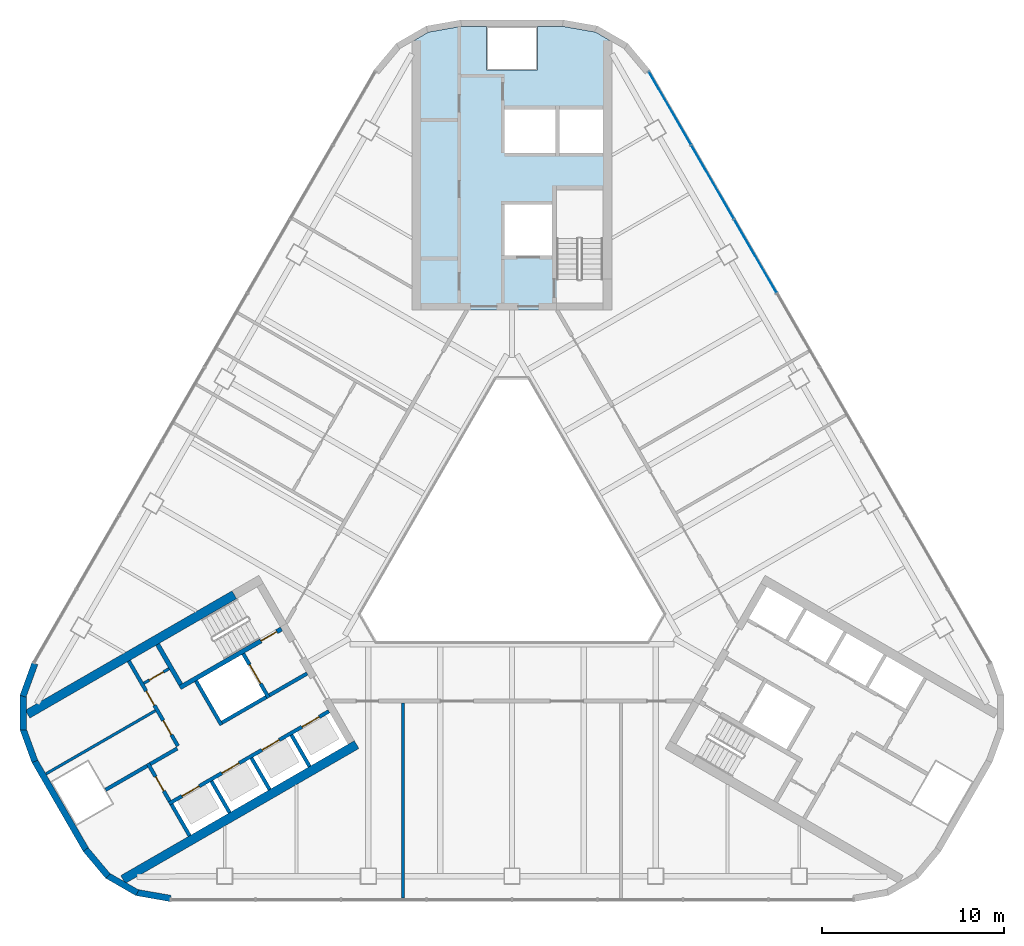
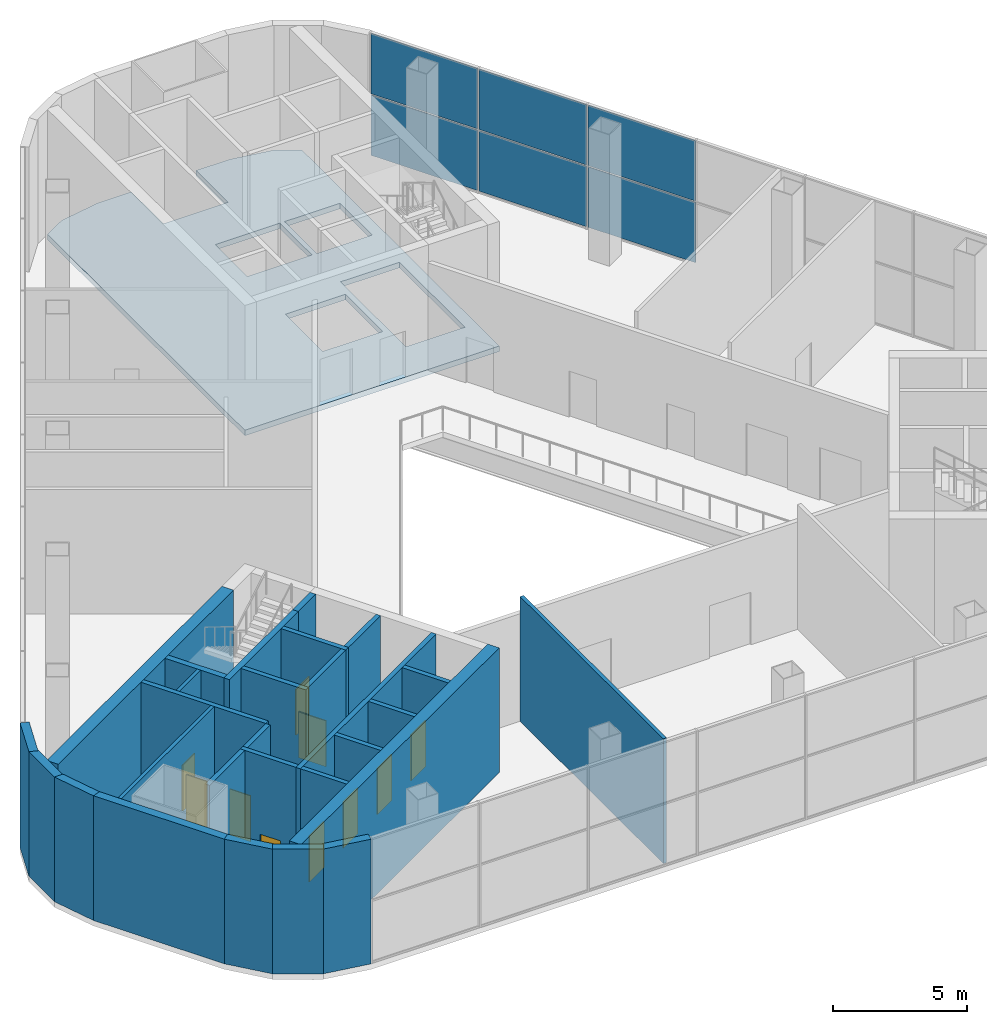
# One storey, part 7 of 14: 28 walls, 10 doors, 6 plates, 1 slab, 10 openings, 1 element without a shape of its own.
"""IFC4 building model written with IfcOpenShell, lengths in metres."""

from ifc_helpers import new_model, si_unit, direction, frame, frame_2d, origin, origin_2d, place, context, subcontext, project, spatial, polyline, rectangle, outline, extrude, material, layer, layer_set, type_object, element, fill, aggregate, save


model = new_model("IFC4")

# Units and contexts
model_context = context("Model", 3, precision=1e-05, world=origin(), true_north=direction((0.0, 1.0)))
body_context = subcontext(model_context, "Body", "Model", "MODEL_VIEW")
ifc_project = project(units=[si_unit("LENGTHUNIT", "METRE"), si_unit("AREAUNIT", "SQUARE_METRE"), si_unit("VOLUMEUNIT", "CUBIC_METRE"), si_unit("PLANEANGLEUNIT", "RADIAN"), si_unit("MASSUNIT", "GRAM", prefix="KILO")], contexts=[model_context])

# Site, building, storey
site_placement = place(None, origin())
site = spatial("IfcSite", under=ifc_project, at=site_placement, CompositionType="ELEMENT")
building_placement = place(site_placement, origin())
building = spatial("IfcBuilding", under=site, at=building_placement, Name="Apuvela Tower Hotel", CompositionType="ELEMENT")
storey_placement = place(building_placement, frame((0.0, 0.0, 131.60009765625)))
storey = spatial("IfcBuildingStorey", under=building, at=storey_placement, Name="L31", CompositionType="ELEMENT", Elevation=131.60009765625)

# Slab
ifc_material_1 = material(Name="Concrete C50/60", Category="concrete")
ifc_layer_1 = layer(ifc_material_1, 0.25)
ifc_layer_set_1 = layer_set([ifc_layer_1], Name="COR-FLOOR-250")
slab_type = type_object("IfcSlabType", Name="COR-FLOOR-250", PredefinedType="FLOOR", material=ifc_layer_set_1)
slab_placement = place(storey_placement, frame((0.0, 0.0, -0.25)))
element("IfcSlab", 1, at=slab_placement, inside=storey, type_object=slab_type, Name="Core floor N", PredefinedType="FLOOR", context=body_context, shape_type="SweptSolid", body=[
    extrude(outline(polyline([(5.5, 27.668212890625), (4.588623046875, 28.1943359375), (2.85498046875, 28.5), (1.39990234375, 28.5), (1.39990234375, 26.10009765625), (-1.39990234375, 26.10009765625), (-1.39990234375, 28.5), (-2.85498046875, 28.5), (-4.588623046875, 28.1943359375), (-5.5, 27.668212890625), (-5.5, 12.89990234375), (5.5, 12.89990234375), (5.5, 27.668212890625)]), holes=[polyline([(5.0, 14.60595703125), (2.449951171875, 14.60595703125), (2.449951171875, 19.5), (5.0, 19.5), (5.0, 14.60595703125)]), polyline([(2.199951171875, 15.89990234375), (-0.39990234375, 15.89990234375), (-0.39990234375, 18.699951171875), (2.199951171875, 18.699951171875), (2.199951171875, 15.89990234375)]), polyline([(5.0, 21.550048828125), (2.60009765625, 21.550048828125), (2.60009765625, 23.949951171875), (5.0, 23.949951171875), (5.0, 21.550048828125)]), polyline([(2.39990234375, 21.550048828125), (-0.39990234375, 21.550048828125), (-0.39990234375, 23.949951171875), (2.39990234375, 23.949951171875), (2.39990234375, 21.550048828125)])]), origin(), (0.0, 0.0, 1.0), 0.25),
])

# Curtain wall, plates
ifc_material_2 = material(Name="Aluminium 6063-T6, dark bronze anodised", Category="aluminium")
ifc_layer_2 = layer(ifc_material_2, 0.199951171875)
ifc_layer_set_2 = layer_set([ifc_layer_2], Name="ENV-CW-S")
curtain_wall_type = type_object("IfcCurtainWallType", Name="ENV-CW-S", PredefinedType="NOTDEFINED", material=ifc_layer_set_2)
curtain_wall_placement = place(storey_placement, origin())
curtain_wall = element("IfcCurtainWall", 2, at=curtain_wall_placement, inside=storey, type_object=curtain_wall_type, Name="Curtain wall CW-S NE L31", PredefinedType="NOTDEFINED")
ifc_material_3 = material(Name="Glass, dark tinted laminated insulated glazing unit", Category="glass")
ifc_layer_3 = layer(ifc_material_3, 0.0400390625)
ifc_layer_set_3 = layer_set([ifc_layer_3], Name="ENV-PANEL-IGU-40")
plate_type = type_object("IfcPlateType", Name="ENV-PANEL-IGU-40", PredefinedType="CURTAIN_PANEL", material=ifc_layer_set_3)
plate_1_placement = place(storey_placement, frame((13.385498046875, 15.875732421875, 0.06494140625), z_axis=(0.0, 0.0, 1.0), x_axis=(-0.49999909771, 0.866025924721, 0.0)))
plate_1 = element("IfcPlate", 3, at=plate_1_placement, type_object=plate_type, Name="CW-S panel 6.1", PredefinedType="CURTAIN_PANEL", context=body_context, shape_type="SweptSolid", body=[
    extrude(rectangle(XDim=4.638916015625, YDim=0.0400390625, at=origin_2d()), origin(), (0.0, 0.0, 1.0), 2.75244140625),
])
plate_2_placement = place(storey_placement, frame((13.385498046875, 15.875732421875, 2.88232421875), z_axis=(0.0, 0.0, 1.0), x_axis=(-0.49999909771, 0.866025924721, 0.0)))
plate_2 = element("IfcPlate", 4, at=plate_2_placement, type_object=plate_type, Name="CW-S panel 6.2", PredefinedType="CURTAIN_PANEL", context=body_context, shape_type="SweptSolid", body=[
    extrude(rectangle(XDim=4.638916015625, YDim=0.0400390625, at=origin_2d()), origin(), (0.0, 0.0, 1.0), 2.75244140625),
])
plate_3_placement = place(storey_placement, frame((11.033447265625, 19.949462890625, 0.06494140625), z_axis=(0.0, 0.0, 1.0), x_axis=(-0.49999909771, 0.866025924721, 0.0)))
plate_3 = element("IfcPlate", 5, at=plate_3_placement, type_object=plate_type, Name="CW-S panel 7.1", PredefinedType="CURTAIN_PANEL", context=body_context, shape_type="SweptSolid", body=[
    extrude(rectangle(XDim=4.638916015625, YDim=0.0400390625, at=origin_2d()), origin(), (0.0, 0.0, 1.0), 2.75244140625),
])
plate_4_placement = place(storey_placement, frame((11.033447265625, 19.949462890625, 2.88232421875), z_axis=(0.0, 0.0, 1.0), x_axis=(-0.49999909771, 0.866025924721, 0.0)))
plate_4 = element("IfcPlate", 6, at=plate_4_placement, type_object=plate_type, Name="CW-S panel 7.2", PredefinedType="CURTAIN_PANEL", context=body_context, shape_type="SweptSolid", body=[
    extrude(rectangle(XDim=4.638916015625, YDim=0.0400390625, at=origin_2d()), origin(), (0.0, 0.0, 1.0), 2.75244140625),
])
plate_5_placement = place(storey_placement, frame((8.689697265625, 24.009033203125, 0.06494140625), z_axis=(0.0, 0.0, 1.0), x_axis=(-0.49999909771, 0.866025924721, 0.0)))
plate_5 = element("IfcPlate", 7, at=plate_5_placement, type_object=plate_type, Name="CW-S panel 8.1", PredefinedType="CURTAIN_PANEL", context=body_context, shape_type="SweptSolid", body=[
    extrude(rectangle(XDim=4.6064453125, YDim=0.0400390625, at=origin_2d()), origin(), (0.0, 0.0, 1.0), 2.75244140625),
])
plate_6_placement = place(storey_placement, frame((8.689697265625, 24.009033203125, 2.88232421875), z_axis=(0.0, 0.0, 1.0), x_axis=(-0.49999909771, 0.866025924721, 0.0)))
plate_6 = element("IfcPlate", 8, at=plate_6_placement, type_object=plate_type, Name="CW-S panel 8.2", PredefinedType="CURTAIN_PANEL", context=body_context, shape_type="SweptSolid", body=[
    extrude(rectangle(XDim=4.6064453125, YDim=0.0400390625, at=origin_2d()), origin(), (0.0, 0.0, 1.0), 2.75244140625),
])
aggregate(curtain_wall, [plate_1, plate_2, plate_3, plate_4, plate_5, plate_6])

# Walls
ifc_layer_4 = layer(ifc_material_1, 0.5)
ifc_layer_set_4 = layer_set([ifc_layer_4], Name="COR-WALL-CORE-500")
wall_type_1 = type_object("IfcWallType", Name="COR-WALL-CORE-500", PredefinedType="SHEAR", material=ifc_layer_set_4)
wall_1_placement = place(storey_placement, frame((-8.546630859375, -10.99658203125, 0.0), z_axis=(0.0, 0.0, 1.0), x_axis=(-0.866025009528, -0.500000682871, 0.0)))
element("IfcWall", 9, at=wall_1_placement, inside=storey, type_object=wall_type_1, Name="Core wall SW", PredefinedType="SHEAR", context=body_context, shape_type="SweptSolid", body=[
    extrude(rectangle(XDim=14.8369140625, YDim=0.5, at=frame_2d((7.41845703125, 0.0))), origin(), (0.0, 0.0, 1.0), 5.699951171875),
])
wall_2_placement = place(storey_placement, frame((-15.274169921875, -2.75634765625, 0.0), z_axis=(0.0, 0.0, 1.0), x_axis=(-0.86602396135, -0.500002498361, 0.0)))
element("IfcWall", 10, at=wall_2_placement, inside=storey, type_object=wall_type_1, Name="Core wall SW", PredefinedType="SHEAR", context=body_context, shape_type="SweptSolid", body=[
    extrude(rectangle(XDim=13.130859375, YDim=0.5, at=frame_2d((6.5654296875, 0.0))), origin(), (0.0, 0.0, 1.0), 5.699951171875),
])

# Wall, opening, door
ifc_material_4 = material(Name="Blockwork 150 mm plastered", Category="masonry")
ifc_layer_5 = layer(ifc_material_4, 0.14990234375)
ifc_layer_set_5 = layer_set([ifc_layer_5], Name="COR-WALL-PART-150")
wall_type_2 = type_object("IfcWallType", Name="COR-WALL-PART-150", PredefinedType="PARTITIONING", material=ifc_layer_set_5)
wall_3_placement = place(storey_placement, frame((-18.866455078125, -6.822265625, 0.0), z_axis=(0.0, 0.0, 1.0), x_axis=(-0.866028054938, -0.499995408039, 0.0)))
wall_3 = element("IfcWall", 11, at=wall_3_placement, inside=storey, type_object=wall_type_2, Name="Partition SW", PredefinedType="PARTITIONING", context=body_context, shape_type="SweptSolid", body=[
    extrude(rectangle(XDim=1.60009765625, YDim=0.14990234375, at=frame_2d((0.800048828125, 0.0))), origin(), (0.0, 0.0, 1.0), 5.699951171875),
])
opening_1_placement = place(wall_3_placement, frame((0.35009765625, 0.0, 0.0)))
opening_1 = element("IfcOpeningElement", 12, at=opening_1_placement, cuts=wall_3, Name="Opening W-RD", PredefinedType="OPENING", context=body_context, shape_type="SweptSolid", body=[
    extrude(rectangle(XDim=0.89990234375, YDim=2.10009765625, at=frame_2d((0.449951171875, 1.050048828125))), frame((0.0, 0.0849609375, 0.0), z_axis=(0.0, -1.0, 0.0), x_axis=(1.0, 0.0, 0.0)), (0.0, 0.0, 1.0), 0.169921875),
])
ifc_material_5 = material(Name="Steel access door, powder coated", Category="steel")
door_type_1 = type_object("IfcDoorType", Name="COR-RD-900", OperationType="NOTDEFINED", PredefinedType="DOOR", material=ifc_material_5)
door_1_placement = place(opening_1_placement, frame((0.89990234375, 0.0, 0.0), z_axis=(0.0, 0.0, 1.0), x_axis=(-1.0, 0.0, 0.0)))
door_1 = element("IfcDoor", 13, at=door_1_placement, inside=storey, type_object=door_type_1, Name="Riser door W-RD", OperationType="SINGLE_SWING_RIGHT", OverallHeight=2.10009765625, OverallWidth=0.89990234375, PredefinedType="DOOR", context=body_context, shape_type="SweptSolid", body=[
    extrude(rectangle(XDim=0.89990234375, YDim=2.10009765625, at=frame_2d((0.449951171875, 1.050048828125))), frame((0.0, 0.02490234375, 0.0), z_axis=(0.0, -1.0, 0.0), x_axis=(1.0, 0.0, 0.0)), (0.0, 0.0, 1.0), 0.050048828125),
])
fill(opening_1, door_1)

# Wall
wall_4_placement = place(storey_placement, frame((-19.61279296875, -9.129638671875, 0.0), z_axis=(0.0, 0.0, 1.0), x_axis=(-0.866031734426, -0.499989034847, 0.0)))
element("IfcWall", 14, at=wall_4_placement, inside=storey, type_object=wall_type_2, Name="Partition SW", PredefinedType="PARTITIONING", context=body_context, shape_type="SweptSolid", body=[
    extrude(rectangle(XDim=6.949951171875, YDim=0.14990234375, at=frame_2d((3.47509765625, 0.0))), origin(), (0.0, 0.0, 1.0), 5.699951171875),
])

# Wall, openings, doors
ifc_material_6 = material(Name="Blockwork 200 mm plastered", Category="masonry")
ifc_layer_6 = layer(ifc_material_6, 0.199951171875)
ifc_layer_set_6 = layer_set([ifc_layer_6], Name="COR-WALL-PART-200")
wall_type_3 = type_object("IfcWallType", Name="COR-WALL-PART-200", PredefinedType="PARTITIONING", material=ifc_layer_set_6)
wall_5_placement = place(storey_placement, frame((-21.076171875, -6.39501953125, 0.0), z_axis=(0.0, 0.0, 1.0), x_axis=(0.50001468107, -0.866016927499, 0.0)))
wall_5 = element("IfcWall", 15, at=wall_5_placement, inside=storey, type_object=wall_type_3, Name="Partition SW", PredefinedType="PARTITIONING", context=body_context, shape_type="SweptSolid", body=[
    extrude(rectangle(XDim=5.399658203125, YDim=0.199951171875, at=frame_2d((2.69970703125, 0.0))), origin(), (0.0, 0.0, 1.0), 5.699951171875),
])
opening_2_placement = place(wall_5_placement, frame((1.91259765625, 0.0, 0.0)))
opening_2 = element("IfcOpeningElement", 16, at=opening_2_placement, cuts=wall_5, Name="Opening W-RS1", PredefinedType="OPENING", context=body_context, shape_type="SweptSolid", body=[
    extrude(rectangle(XDim=0.89990234375, YDim=2.10009765625, at=frame_2d((0.449951171875, 1.050048828125))), frame((0.0, 0.10986328125, 0.0), z_axis=(0.0, -1.0, 0.0), x_axis=(1.0, 0.0, 0.0)), (0.0, 0.0, 1.0), 0.219970703125),
])
opening_3_placement = place(wall_5_placement, frame((3.78759765625, 0.0, 0.0)))
opening_3 = element("IfcOpeningElement", 17, at=opening_3_placement, cuts=wall_5, Name="Opening W-RS2", PredefinedType="OPENING", context=body_context, shape_type="SweptSolid", body=[
    extrude(rectangle(XDim=0.89990234375, YDim=2.10009765625, at=frame_2d((0.449951171875, 1.050048828125))), frame((0.0, 0.10986328125, 0.0), z_axis=(0.0, -1.0, 0.0), x_axis=(1.0, 0.0, 0.0)), (0.0, 0.0, 1.0), 0.219970703125),
])
ifc_material_7 = material(Name="Steel fire door, powder coated", Category="steel")
door_type_2 = type_object("IfcDoorType", Name="COR-DR-900", OperationType="NOTDEFINED", PredefinedType="DOOR", material=ifc_material_7)
door_2_placement = place(opening_2_placement, frame((0.89990234375, 0.0, 0.0), z_axis=(0.0, 0.0, 1.0), x_axis=(-1.0, 0.0, 0.0)))
door_2 = element("IfcDoor", 18, at=door_2_placement, inside=storey, type_object=door_type_2, Name="Store door W-RS1", OperationType="SINGLE_SWING_LEFT", OverallHeight=2.10009765625, OverallWidth=0.89990234375, PredefinedType="DOOR", context=body_context, shape_type="SweptSolid", body=[
    extrude(rectangle(XDim=0.89990234375, YDim=2.10009765625, at=frame_2d((0.449951171875, 1.050048828125))), frame((0.0, 0.02490234375, 0.0), z_axis=(0.0, -1.0, 0.0), x_axis=(1.0, 0.0, 0.0)), (0.0, 0.0, 1.0), 0.050048828125),
])
fill(opening_2, door_2)
door_3_placement = place(opening_3_placement, frame((0.89990234375, 0.0, 0.0), z_axis=(0.0, 0.0, 1.0), x_axis=(-1.0, 0.0, 0.0)))
door_3 = element("IfcDoor", 19, at=door_3_placement, inside=storey, type_object=door_type_2, Name="Store door W-RS2", OperationType="SINGLE_SWING_LEFT", OverallHeight=2.10009765625, OverallWidth=0.89990234375, PredefinedType="DOOR", context=body_context, shape_type="SweptSolid", body=[
    extrude(rectangle(XDim=0.89990234375, YDim=2.10009765625, at=frame_2d((0.449951171875, 1.050048828125))), frame((0.0, 0.02490234375, 0.0), z_axis=(0.0, -1.0, 0.0), x_axis=(1.0, 0.0, 0.0)), (0.0, 0.0, 1.0), 0.050048828125),
])
fill(opening_3, door_3)

# Wall
ifc_layer_7 = layer(ifc_material_1, 0.199951171875)
ifc_layer_set_7 = layer_set([ifc_layer_7], Name="COR-WALL-SHAFT-200")
wall_type_4 = type_object("IfcWallType", Name="COR-WALL-SHAFT-200", PredefinedType="SHEAR", material=ifc_layer_set_7)
wall_6_placement = place(storey_placement, frame((-17.38134765625, -7.49462890625, 0.0), z_axis=(0.0, 0.0, 1.0), x_axis=(0.500011755427, -0.866018616679, 0.0)))
element("IfcWall", 20, at=wall_6_placement, inside=storey, type_object=wall_type_4, Name="Shaft wall SW", PredefinedType="SHEAR", context=body_context, shape_type="SweptSolid", body=[
    extrude(rectangle(XDim=2.80029296875, YDim=0.199951171875, at=frame_2d((1.400146484375, 0.0))), origin(), (0.0, 0.0, 1.0), 5.699951171875),
])

# Wall, opening, door
wall_7_placement = place(storey_placement, frame((-14.783203125, -5.99462890625, 0.0), z_axis=(0.0, 0.0, 1.0), x_axis=(0.49994636267, -0.866056369097, 0.0)))
wall_7 = element("IfcWall", 21, at=wall_7_placement, inside=storey, type_object=wall_type_4, Name="Shaft wall SW", PredefinedType="SHEAR", context=body_context, shape_type="SweptSolid", body=[
    extrude(rectangle(XDim=2.800048828125, YDim=0.199951171875, at=frame_2d((1.39990234375, 0.0))), origin(), (0.0, 0.0, 1.0), 5.699951171875),
])
opening_4_placement = place(wall_7_placement, frame((0.699951171875, 0.0, 0.0)))
opening_4 = element("IfcOpeningElement", 22, at=opening_4_placement, cuts=wall_7, Name="Opening W-LD-FS2", PredefinedType="OPENING", context=body_context, shape_type="SweptSolid", body=[
    extrude(rectangle(XDim=1.199951171875, YDim=2.10009765625, at=frame_2d((0.60009765625, 1.050048828125))), frame((0.0, 0.10986328125, 0.0), z_axis=(0.0, -1.0, 0.0), x_axis=(1.0, 0.0, 0.0)), (0.0, 0.0, 1.0), 0.219970703125),
])
ifc_material_8 = material(Name="Stainless steel lift landing door", Category="steel")
door_type_3 = type_object("IfcDoorType", Name="COR-LD-1200", OperationType="DOUBLE_DOOR_SLIDING", PredefinedType="DOOR", material=ifc_material_8)
door_4_placement = place(opening_4_placement, origin())
door_4 = element("IfcDoor", 23, at=door_4_placement, inside=storey, type_object=door_type_3, Name="Lift landing door W-LD-FS2", OperationType="DOUBLE_DOOR_SLIDING", OverallHeight=2.10009765625, OverallWidth=1.199951171875, PredefinedType="DOOR", context=body_context, shape_type="SweptSolid", body=[
    extrude(rectangle(XDim=1.199951171875, YDim=2.10009765625, at=frame_2d((0.60009765625, 1.050048828125))), frame((0.0, 0.02490234375, 0.0), z_axis=(0.0, -1.0, 0.0), x_axis=(1.0, 0.0, 0.0)), (0.0, 0.0, 1.0), 0.050048828125),
])
fill(opening_4, door_4)

# Walls
wall_8_placement = place(storey_placement, frame((-13.519775390625, -8.383056640625, 0.0), z_axis=(0.0, 0.0, 1.0), x_axis=(-0.866034573852, -0.49998411664, 0.0)))
element("IfcWall", 24, at=wall_8_placement, inside=storey, type_object=wall_type_4, Name="Shaft wall SW", PredefinedType="SHEAR", context=body_context, shape_type="SweptSolid", body=[
    extrude(rectangle(XDim=2.7998046875, YDim=0.199951171875, at=frame_2d((1.39990234375, 0.0))), origin(), (0.0, 0.0, 1.0), 5.699951171875),
])
wall_9_placement = place(storey_placement, frame((-11.26806640625, -7.0830078125, 0.0), z_axis=(0.0, 0.0, 1.0), x_axis=(-0.866050077142, -0.499957262057, 0.0)))
element("IfcWall", 25, at=wall_9_placement, inside=storey, type_object=wall_type_4, Name="Shaft wall SW", PredefinedType="SHEAR", context=body_context, shape_type="SweptSolid", body=[
    extrude(rectangle(XDim=2.400146484375, YDim=0.199951171875, at=frame_2d((1.2001953125, 0.0))), origin(), (0.0, 0.0, 1.0), 5.699951171875),
])

# Wall, openings, doors
wall_10_placement = place(storey_placement, frame((-10.068115234375, -9.16162109375, 0.0), z_axis=(0.0, 0.0, 1.0), x_axis=(-0.866032725843, -0.499987317609, 0.0)))
wall_10 = element("IfcWall", 26, at=wall_10_placement, inside=storey, type_object=wall_type_4, Name="Shaft wall SW", PredefinedType="SHEAR", context=body_context, shape_type="SweptSolid", body=[
    extrude(rectangle(XDim=10.159912109375, YDim=0.199951171875, at=frame_2d((5.080078125, 0.0))), origin(), (0.0, 0.0, 1.0), 5.699951171875),
])
opening_5_placement = place(wall_10_placement, frame((0.6201171875, 0.0, 0.0)))
opening_5 = element("IfcOpeningElement", 27, at=opening_5_placement, cuts=wall_10, Name="Opening W-LD-MR1", PredefinedType="OPENING", context=body_context, shape_type="SweptSolid", body=[
    extrude(rectangle(XDim=1.10009765625, YDim=2.10009765625, at=frame_2d((0.550048828125, 1.050048828125))), frame((0.0, 0.10986328125, 0.0), z_axis=(0.0, -1.0, 0.0), x_axis=(1.0, 0.0, 0.0)), (0.0, 0.0, 1.0), 0.219970703125),
])
opening_6_placement = place(wall_10_placement, frame((3.159912109375, 0.0, 0.0)))
opening_6 = element("IfcOpeningElement", 28, at=opening_6_placement, cuts=wall_10, Name="Opening W-LD-MR2", PredefinedType="OPENING", context=body_context, shape_type="SweptSolid", body=[
    extrude(rectangle(XDim=1.10009765625, YDim=2.10009765625, at=frame_2d((0.550048828125, 1.050048828125))), frame((0.0, 0.10986328125, 0.0), z_axis=(0.0, -1.0, 0.0), x_axis=(1.0, 0.0, 0.0)), (0.0, 0.0, 1.0), 0.219970703125),
])
opening_7_placement = place(wall_10_placement, frame((5.699951171875, 0.0, 0.0)))
opening_7 = element("IfcOpeningElement", 29, at=opening_7_placement, cuts=wall_10, Name="Opening W-LD-MR3", PredefinedType="OPENING", context=body_context, shape_type="SweptSolid", body=[
    extrude(rectangle(XDim=1.10009765625, YDim=2.10009765625, at=frame_2d((0.550048828125, 1.050048828125))), frame((0.0, 0.10986328125, 0.0), z_axis=(0.0, -1.0, 0.0), x_axis=(1.0, 0.0, 0.0)), (0.0, 0.0, 1.0), 0.219970703125),
])
opening_8_placement = place(wall_10_placement, frame((8.239990234375, 0.0, 0.0)))
opening_8 = element("IfcOpeningElement", 30, at=opening_8_placement, cuts=wall_10, Name="Opening W-LD-MR4", PredefinedType="OPENING", context=body_context, shape_type="SweptSolid", body=[
    extrude(rectangle(XDim=1.10009765625, YDim=2.10009765625, at=frame_2d((0.550048828125, 1.050048828125))), frame((0.0, 0.10986328125, 0.0), z_axis=(0.0, -1.0, 0.0), x_axis=(1.0, 0.0, 0.0)), (0.0, 0.0, 1.0), 0.219970703125),
])
door_type_4 = type_object("IfcDoorType", Name="COR-LD-1100", OperationType="DOUBLE_DOOR_SLIDING", PredefinedType="DOOR", material=ifc_material_8)
door_5_placement = place(opening_5_placement, origin())
door_5 = element("IfcDoor", 31, at=door_5_placement, inside=storey, type_object=door_type_4, Name="Lift landing door W-LD-MR1", OperationType="DOUBLE_DOOR_SLIDING", OverallHeight=2.10009765625, OverallWidth=1.10009765625, PredefinedType="DOOR", context=body_context, shape_type="SweptSolid", body=[
    extrude(rectangle(XDim=1.10009765625, YDim=2.10009765625, at=frame_2d((0.550048828125, 1.050048828125))), frame((0.0, 0.02490234375, 0.0), z_axis=(0.0, -1.0, 0.0), x_axis=(1.0, 0.0, 0.0)), (0.0, 0.0, 1.0), 0.050048828125),
])
fill(opening_5, door_5)
door_6_placement = place(opening_6_placement, origin())
door_6 = element("IfcDoor", 32, at=door_6_placement, inside=storey, type_object=door_type_4, Name="Lift landing door W-LD-MR2", OperationType="DOUBLE_DOOR_SLIDING", OverallHeight=2.10009765625, OverallWidth=1.10009765625, PredefinedType="DOOR", context=body_context, shape_type="SweptSolid", body=[
    extrude(rectangle(XDim=1.10009765625, YDim=2.10009765625, at=frame_2d((0.550048828125, 1.050048828125))), frame((0.0, 0.02490234375, 0.0), z_axis=(0.0, -1.0, 0.0), x_axis=(1.0, 0.0, 0.0)), (0.0, 0.0, 1.0), 0.050048828125),
])
fill(opening_6, door_6)
door_7_placement = place(opening_7_placement, origin())
door_7 = element("IfcDoor", 33, at=door_7_placement, inside=storey, type_object=door_type_4, Name="Lift landing door W-LD-MR3", OperationType="DOUBLE_DOOR_SLIDING", OverallHeight=2.10009765625, OverallWidth=1.10009765625, PredefinedType="DOOR", context=body_context, shape_type="SweptSolid", body=[
    extrude(rectangle(XDim=1.10009765625, YDim=2.10009765625, at=frame_2d((0.550048828125, 1.050048828125))), frame((0.0, 0.02490234375, 0.0), z_axis=(0.0, -1.0, 0.0), x_axis=(1.0, 0.0, 0.0)), (0.0, 0.0, 1.0), 0.050048828125),
])
fill(opening_7, door_7)
door_8_placement = place(opening_8_placement, origin())
door_8 = element("IfcDoor", 34, at=door_8_placement, inside=storey, type_object=door_type_4, Name="Lift landing door W-LD-MR4", OperationType="DOUBLE_DOOR_SLIDING", OverallHeight=2.10009765625, OverallWidth=1.10009765625, PredefinedType="DOOR", context=body_context, shape_type="SweptSolid", body=[
    extrude(rectangle(XDim=1.10009765625, YDim=2.10009765625, at=frame_2d((0.550048828125, 1.050048828125))), frame((0.0, 0.02490234375, 0.0), z_axis=(0.0, -1.0, 0.0), x_axis=(1.0, 0.0, 0.0)), (0.0, 0.0, 1.0), 0.050048828125),
])
fill(opening_8, door_8)

# Wall, opening, door
wall_11_placement = place(storey_placement, frame((-20.030517578125, -12.0263671875, 0.0), z_axis=(0.0, 0.0, 1.0), x_axis=(0.500033551112, -0.866006032174, 0.0)))
wall_11 = element("IfcWall", 35, at=wall_11_placement, inside=storey, type_object=wall_type_4, Name="Shaft wall SW", PredefinedType="SHEAR", context=body_context, shape_type="SweptSolid", body=[
    extrude(rectangle(XDim=2.400146484375, YDim=0.199951171875, at=frame_2d((1.2001953125, 0.0))), origin(), (0.0, 0.0, 1.0), 5.699951171875),
])
opening_9_placement = place(wall_11_placement, frame((0.85009765625, 0.0, 0.0)))
opening_9 = element("IfcOpeningElement", 36, at=opening_9_placement, cuts=wall_11, Name="Opening W-REP", PredefinedType="OPENING", context=body_context, shape_type="SweptSolid", body=[
    extrude(rectangle(XDim=0.89990234375, YDim=2.10009765625, at=frame_2d((0.449951171875, 1.050048828125))), frame((0.0, 0.10986328125, 0.0), z_axis=(0.0, -1.0, 0.0), x_axis=(1.0, 0.0, 0.0)), (0.0, 0.0, 1.0), 0.219970703125),
])
door_9_placement = place(opening_9_placement, frame((0.89990234375, 0.0, 0.0), z_axis=(0.0, 0.0, 1.0), x_axis=(-1.0, 0.0, 0.0)))
door_9 = element("IfcDoor", 37, at=door_9_placement, inside=storey, type_object=door_type_2, Name="Store door W-REP", OperationType="SINGLE_SWING_LEFT", OverallHeight=2.10009765625, OverallWidth=0.89990234375, PredefinedType="DOOR", context=body_context, shape_type="SweptSolid", body=[
    extrude(rectangle(XDim=0.89990234375, YDim=2.10009765625, at=frame_2d((0.449951171875, 1.050048828125))), frame((0.0, 0.02490234375, 0.0), z_axis=(0.0, -1.0, 0.0), x_axis=(1.0, 0.0, 0.0)), (0.0, 0.0, 1.0), 0.050048828125),
])
fill(opening_9, door_9)

# Walls
wall_12_placement = place(storey_placement, frame((-18.412841796875, -11.2080078125, 0.0), z_axis=(0.0, 0.0, 1.0), x_axis=(-0.866038183914, -0.499977863513, 0.0)))
element("IfcWall", 38, at=wall_12_placement, inside=storey, type_object=wall_type_4, Name="Shaft wall SW", PredefinedType="SHEAR", context=body_context, shape_type="SweptSolid", body=[
    extrude(rectangle(XDim=1.7099609375, YDim=0.199951171875, at=frame_2d((0.85498046875, 0.0))), origin(), (0.0, 0.0, 1.0), 5.699951171875),
])
for number, where, z_axis, x_axis, name in (
    (39, (-12.131103515625, -10.468017578125, 0.0), (0.0, 0.0, 1.0), (0.499972520799, -0.866041268327, 0.0), "Shaft wall SW"),
    (40, (-14.330810546875, -11.738037109375, 0.0), (0.0, 0.0, 1.0), (0.499972520799, -0.866041268327, 0.0), "Shaft wall SW"),
    (41, (-16.530517578125, -13.008056640625, 0.0), (0.0, 0.0, 1.0), (0.50002537861, -0.866010750942, 0.0), "Shaft wall SW"),
    (42, (-18.73046875, -14.278076171875, 0.0), (0.0, 0.0, 1.0), (0.50002537861, -0.866010750942, 0.0), "Shaft wall SW"),
):
    element("IfcWall", number, at=place(storey_placement, frame(where, z_axis=z_axis, x_axis=x_axis)), inside=storey, type_object=wall_type_4, Name=name, PredefinedType="SHEAR", context=body_context, shape_type="SweptSolid", body=[
        extrude(rectangle(XDim=2.0, YDim=0.199951171875, at=frame_2d((1.0, 0.0))), origin(), (0.0, 0.0, 1.0), 5.699951171875),
    ])
wall_13_placement = place(storey_placement, frame((-20.06689453125, -12.1630859375, 0.0), z_axis=(0.0, 0.0, 1.0), x_axis=(-0.866060851709, -0.499938597367, 0.0)))
element("IfcWall", 43, at=wall_13_placement, inside=storey, type_object=wall_type_4, Name="Shaft wall SW", PredefinedType="SHEAR", context=body_context, shape_type="SweptSolid", body=[
    extrude(rectangle(XDim=2.639892578125, YDim=0.199951171875, at=frame_2d((1.31982421875, 0.0))), origin(), (0.0, 0.0, 1.0), 5.699951171875),
])
ifc_layer_8 = layer(ifc_material_1, 0.25)
ifc_layer_set_8 = layer_set([ifc_layer_8], Name="COR-WALL-STAIR-250")
wall_type_5 = type_object("IfcWallType", Name="COR-WALL-STAIR-250", PredefinedType="SHEAR", material=ifc_layer_set_8)
wall_14_placement = place(storey_placement, frame((-19.49560546875, -5.482421875, 0.0), z_axis=(0.0, 0.0, 1.0), x_axis=(0.499990435942, -0.866030925526, 0.0)))
element("IfcWall", 44, at=wall_14_placement, inside=storey, type_object=wall_type_5, Name="Stair wall SW", PredefinedType="SHEAR", context=body_context, shape_type="SweptSolid", body=[
    extrude(rectangle(XDim=2.5498046875, YDim=0.25, at=frame_2d((1.27490234375, 0.0))), origin(), (0.0, 0.0, 1.0), 5.699951171875),
])

# Wall, opening, door
wall_15_placement = place(storey_placement, frame((-12.6806640625, -4.636474609375, 0.0), z_axis=(0.0, 0.0, 1.0), x_axis=(-0.86601437931, -0.500019094464, 0.0)))
wall_15 = element("IfcWall", 45, at=wall_15_placement, inside=storey, type_object=wall_type_5, Name="Stair wall SW", PredefinedType="SHEAR", context=body_context, shape_type="SweptSolid", body=[
    extrude(rectangle(XDim=1.30615234375, YDim=0.25, at=frame_2d((0.653076171875, 0.0))), origin(), (0.0, 0.0, 1.0), 5.699951171875),
])
opening_10_placement = place(wall_15_placement, frame((0.300048828125, 0.0, 0.0)))
opening_10 = element("IfcOpeningElement", 46, at=opening_10_placement, cuts=wall_15, Name="Opening W-SD", PredefinedType="OPENING", context=body_context, shape_type="SweptSolid", body=[
    extrude(rectangle(XDim=1.0, YDim=2.10009765625, at=frame_2d((0.5, 1.050048828125))), frame((0.0, 0.135009765625, 0.0), z_axis=(0.0, -1.0, 0.0), x_axis=(1.0, 0.0, 0.0)), (0.0, 0.0, 1.0), 0.27001953125),
])
door_type_5 = type_object("IfcDoorType", Name="COR-SD-1000", OperationType="NOTDEFINED", PredefinedType="DOOR", material=ifc_material_7)
door_10_placement = place(opening_10_placement, frame((1.0, 0.0, 0.0), z_axis=(0.0, 0.0, 1.0), x_axis=(-1.0, 0.0, 0.0)))
door_10 = element("IfcDoor", 47, at=door_10_placement, inside=storey, type_object=door_type_5, Name="Stair door W-SD", OperationType="SINGLE_SWING_LEFT", OverallHeight=2.10009765625, OverallWidth=1.0, PredefinedType="DOOR", context=body_context, shape_type="SweptSolid", body=[
    extrude(rectangle(XDim=1.0, YDim=2.10009765625, at=frame_2d((0.5, 1.050048828125))), frame((0.0, 0.02490234375, 0.0), z_axis=(0.0, -1.0, 0.0), x_axis=(1.0, 0.0, 0.0)), (0.0, 0.0, 1.0), 0.050048828125),
])
fill(opening_10, door_10)

# Walls
wall_16_placement = place(storey_placement, frame((-13.811767578125, -5.28955078125, 0.0), z_axis=(0.0, 0.0, 1.0), x_axis=(-0.866023561601, -0.500003190742, 0.0)))
element("IfcWall", 48, at=wall_16_placement, inside=storey, type_object=wall_type_5, Name="Stair wall SW", PredefinedType="SHEAR", context=body_context, shape_type="SweptSolid", body=[
    extrude(rectangle(XDim=5.14404296875, YDim=0.25, at=frame_2d((2.572021484375, 0.0))), origin(), (0.0, 0.0, 1.0), 5.699951171875),
])
ifc_material_9 = material(Name="Concrete C40/50, dark pigmented precast panel", Category="concrete")
ifc_layer_9 = layer(ifc_material_9, 0.35009765625)
ifc_layer_set_9 = layer_set([ifc_layer_9], Name="ENV-WALL-350")
wall_type_6 = type_object("IfcWallType", Name="ENV-WALL-350", PredefinedType="SOLIDWALL", material=ifc_layer_set_9)
for number, where, z_axis, x_axis, name in (
    (49, (-26.24365234375, -6.539794921875, 0.0), (0.0, 0.0, 1.0), (-0.342030395486, -0.939688889242, 0.0), "External wall L31-08"),
    (50, (-26.88623046875, -8.27490234375, 0.0), (0.0, 0.0, 1.0), (0.0, -1.0, 0.0), "External wall L31-09"),
    (51, (-26.89697265625, -10.125244140625, 0.0), (0.0, 0.0, 1.0), (0.342030395486, -0.939688889242, 0.0), "External wall L31-10"),
):
    element("IfcWall", number, at=place(storey_placement, frame(where, z_axis=z_axis, x_axis=x_axis)), inside=storey, type_object=wall_type_6, Name=name, PredefinedType="SOLIDWALL", context=body_context, shape_type="SweptSolid", body=[
        extrude(rectangle(XDim=1.91015625, YDim=0.35009765625, at=frame_2d((0.955078125, 0.0))), origin(), (0.0, 0.0, 1.0), 5.699951171875),
    ])
wall_17_placement = place(storey_placement, frame((-26.25634765625, -11.892578125, 0.0), z_axis=(0.0, 0.0, 1.0), x_axis=(0.499986410639, -0.866033249463, 0.0)))
element("IfcWall", 52, at=wall_17_placement, inside=storey, type_object=wall_type_6, Name="External wall L31-11", PredefinedType="SOLIDWALL", context=body_context, shape_type="SweptSolid", body=[
    extrude(rectangle(XDim=5.657958984375, YDim=0.35009765625, at=frame_2d((2.8291015625, 0.0))), origin(), (0.0, 0.0, 1.0), 5.699951171875),
])
for number, where, z_axis, x_axis, name in (
    (53, (-23.44482421875, -16.767578125, 0.0), (0.0, 0.0, 1.0), (0.642808304945, -0.766027077259, 0.0), "External wall L31-12"),
    (54, (-22.263671875, -18.191650390625, 0.0), (0.0, 0.0, 1.0), (0.866000389056, -0.500043324278, 0.0), "External wall L31-13"),
):
    element("IfcWall", number, at=place(storey_placement, frame(where, z_axis=z_axis, x_axis=x_axis)), inside=storey, type_object=wall_type_6, Name=name, PredefinedType="SOLIDWALL", context=body_context, shape_type="SweptSolid", body=[
        extrude(rectangle(XDim=1.909912109375, YDim=0.35009765625, at=frame_2d((0.955078125, 0.0))), origin(), (0.0, 0.0, 1.0), 5.699951171875),
    ])
wall_18_placement = place(storey_placement, frame((-20.66650390625, -19.1259765625, 0.0), z_axis=(0.0, 0.0, 1.0), x_axis=(0.984798995425, -0.173697837091, 0.0)))
element("IfcWall", 55, at=wall_18_placement, inside=storey, type_object=wall_type_6, Name="External wall L31-14", PredefinedType="SOLIDWALL", context=body_context, shape_type="SweptSolid", body=[
    extrude(rectangle(XDim=1.91015625, YDim=0.35009765625, at=frame_2d((0.955078125, 0.0))), origin(), (0.0, 0.0, 1.0), 5.699951171875),
])
ifc_material_10 = material(Name="Gypsum board partition on steel stud", Category="steel")
ifc_layer_10 = layer(ifc_material_10, 0.14990234375)
ifc_layer_set_10 = layer_set([ifc_layer_10], Name="SPC-WALL-PARTITION")
wall_type_7 = type_object("IfcWallType", Name="SPC-WALL-PARTITION", PredefinedType="PARTITIONING", material=ifc_layer_set_10)
wall_19_placement = place(storey_placement, frame((-6.0, -19.429931640625, 0.0), z_axis=(0.0, 0.0, 1.0), x_axis=(0.0, 1.0, 0.0)))
element("IfcWall", 56, at=wall_19_placement, inside=storey, type_object=wall_type_7, Name="Wall L31-S-P01", PredefinedType="PARTITIONING", context=body_context, shape_type="SweptSolid", body=[
    extrude(rectangle(XDim=10.72998046875, YDim=0.14990234375, at=frame_2d((5.364990234375, 0.0))), origin(), (0.0, 0.0, 1.0), 5.699951171875),
])

save(model, "model.ifc")
